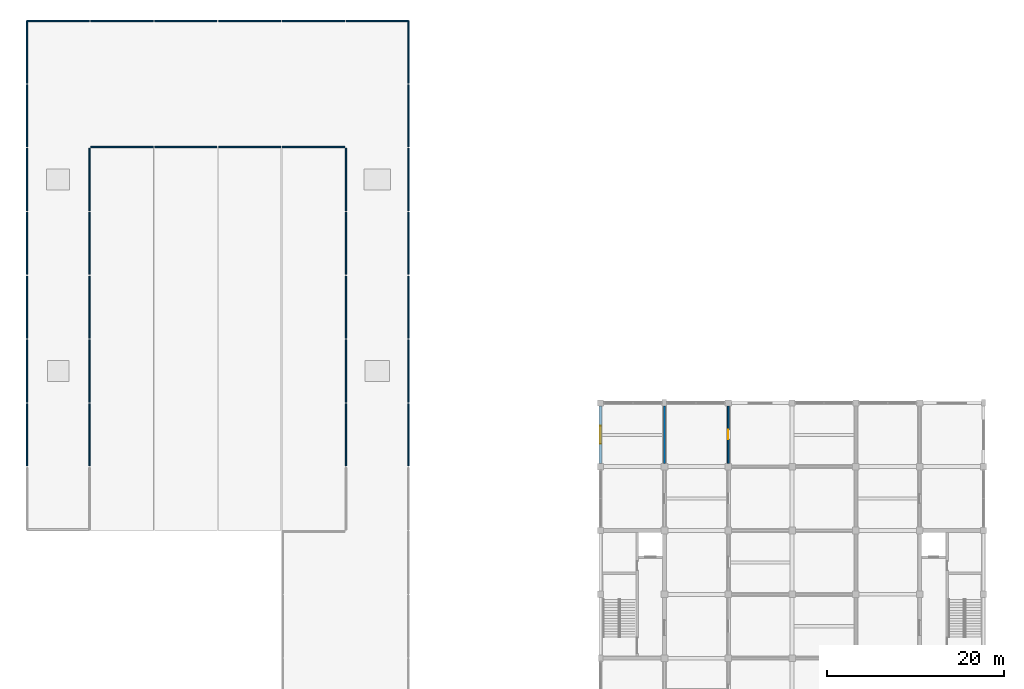
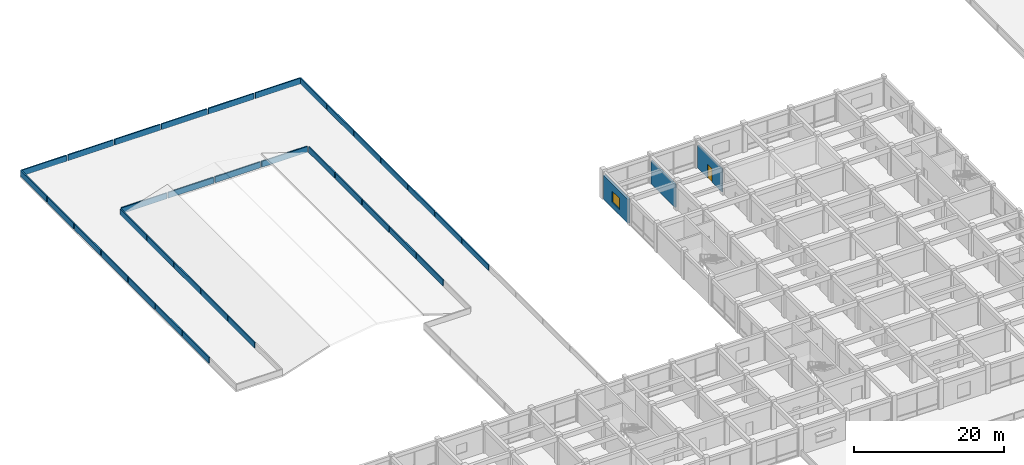
# One storey, part 23 of 30: 37 walls, 1 door, 1 window, 2 openings.
"""IFC4 building model written with IfcOpenShell, lengths in metres."""

from ifc_helpers import new_model, si_unit, direction, frame, frame_2d, origin, place, context, subcontext, project, spatial, rectangle, extrude, material, layer, layer_set, type_object, element, fill, save


model = new_model("IFC4")

# Units and contexts
model_context = context("Model", 3, precision=1e-05, world=origin(), true_north=direction((0.0, 1.0)))
body_context = subcontext(model_context, "Body", "Model", "MODEL_VIEW")
ifc_project = project(units=[si_unit("LENGTHUNIT", "METRE"), si_unit("AREAUNIT", "SQUARE_METRE"), si_unit("VOLUMEUNIT", "CUBIC_METRE"), si_unit("PLANEANGLEUNIT", "RADIAN"), si_unit("MASSUNIT", "GRAM", prefix="KILO")], contexts=[model_context])

# Site, building, storey
site_placement = place(None, origin())
site = spatial("IfcSite", under=ifc_project, at=site_placement, CompositionType="ELEMENT")
building_placement = place(site_placement, origin())
building = spatial("IfcBuilding", under=site, at=building_placement, Name="Cendaluz Park School", CompositionType="ELEMENT")
storey_placement = place(building_placement, frame((0.0, 0.0, 9.60009765625)))
storey = spatial("IfcBuildingStorey", under=building, at=storey_placement, Name="L02", CompositionType="ELEMENT", Elevation=9.60009765625)

# Wall, opening, door
ifc_material_1 = material(Name="Gypsum Plasterboard on Cold-Formed Stud", Category="gypsum")
ifc_layer_1 = layer(ifc_material_1, 0.199951171875)
ifc_layer_set_1 = layer_set([ifc_layer_1], Name="Gypsum Plasterboard on Cold-Formed Stud")
wall_type_1 = type_object("IfcWallType", Name="W-AC20", PredefinedType="PARTITIONING", material=ifc_layer_set_1)
wall_1_placement = place(storey_placement, frame((79.199951171875, 65.175048828125, 0.0), z_axis=(0.0, 0.0, 1.0), x_axis=(0.0, 1.0, 0.0)))
wall_1 = element("IfcWall", 1, at=wall_1_placement, inside=storey, type_object=wall_type_1, Name="WL-FC-BY1", PredefinedType="PARTITIONING", context=body_context, shape_type="SweptSolid", body=[
    extrude(rectangle(XDim=6.474853515625, YDim=0.199951171875, at=frame_2d((3.2373046875, 0.0))), origin(), (0.0, 0.0, 1.0), 3.739990234375),
])
opening_1_placement = place(wall_1_placement, frame((2.697509765625, 0.0, 0.0)))
opening_1 = element("IfcOpeningElement", 2, at=opening_1_placement, cuts=wall_1, Name="Opening DCL-05", PredefinedType="OPENING", context=body_context, shape_type="SweptSolid", body=[
    extrude(rectangle(XDim=1.080078125, YDim=2.179931640625, at=frame_2d((0.5400390625, 1.08984375))), frame((0.0, 0.112060546875, 0.0), z_axis=(0.0, -1.0, 0.0), x_axis=(1.0, 0.0, 0.0)), (0.0, 0.0, 1.0), 0.223876953125),
])
ifc_material_2 = material(Name="Solid Core Hardwood", Category="wood")
door_type = type_object("IfcDoorType", Name="DCL-05", OperationType="NOTDEFINED", PredefinedType="DOOR", material=ifc_material_2)
door_placement = place(opening_1_placement, frame((1.080078125, 0.0, 0.0), z_axis=(0.0, 0.0, 1.0), x_axis=(-1.0, 0.0, 0.0)))
door = element("IfcDoor", 3, at=door_placement, inside=storey, type_object=door_type, Name="D-L02-028", OperationType="SINGLE_SWING_RIGHT", OverallHeight=2.179931640625, OverallWidth=1.080078125, PredefinedType="DOOR", context=body_context, shape_type="SweptSolid", body=[
    extrude(rectangle(XDim=1.080078125, YDim=2.179931640625, at=frame_2d((0.5400390625, 1.08984375))), frame((0.0, 0.02490234375, 0.0), z_axis=(0.0, -1.0, 0.0), x_axis=(1.0, 0.0, 0.0)), (0.0, 0.0, 1.0), 0.050048828125),
])
fill(opening_1, door)

# Wall
wall_2_placement = place(storey_placement, frame((72.0, 65.175048828125, 0.0), z_axis=(0.0, 0.0, 1.0), x_axis=(0.0, 1.0, 0.0)))
element("IfcWall", 4, at=wall_2_placement, inside=storey, type_object=wall_type_1, Name="WL-FC-CC6", PredefinedType="PARTITIONING", context=body_context, shape_type="SweptSolid", body=[
    extrude(rectangle(XDim=6.449951171875, YDim=0.199951171875, at=frame_2d((3.22509765625, 0.0))), origin(), (0.0, 0.0, 1.0), 3.739990234375),
])

# Wall, opening, window
ifc_material_3 = material(Name="Concrete C40/50 precast", Category="concrete")
ifc_layer_2 = layer(ifc_material_3, 0.360107421875)
ifc_layer_set_2 = layer_set([ifc_layer_2], Name="Concrete C40/50 precast")
wall_type_2 = type_object("IfcWallType", Name="W-EX36", PredefinedType="SOLIDWALL", material=ifc_layer_set_2)
wall_3_placement = place(storey_placement, frame((64.800048828125, 65.14990234375, 0.0), z_axis=(0.0, 0.0, 1.0), x_axis=(0.0, 1.0, 0.0)))
wall_3 = element("IfcWall", 5, at=wall_3_placement, inside=storey, type_object=wall_type_2, Name="WL-FC-AA6", PredefinedType="SOLIDWALL", context=body_context, shape_type="SweptSolid", body=[
    extrude(rectangle(XDim=6.5, YDim=0.360107421875, at=frame_2d((3.25, 0.0))), origin(), (0.0, 0.0, 1.0), 3.8798828125),
])
opening_2_placement = place(wall_3_placement, frame((2.25, 0.0, 0.89990234375)))
opening_2 = element("IfcOpeningElement", 6, at=opening_2_placement, cuts=wall_3, Name="Opening WN-02", PredefinedType="OPENING", context=body_context, shape_type="SweptSolid", body=[
    extrude(rectangle(XDim=2.0, YDim=1.800048828125, at=frame_2d((1.0, 0.89990234375))), frame((0.0, 0.192138671875, 0.0), z_axis=(0.0, -1.0, 0.0), x_axis=(1.0, 0.0, 0.0)), (0.0, 0.0, 1.0), 0.384033203125),
])
ifc_material_4 = material(Name="Tempered Low-E Double Glazing", Category="glass")
window_type = type_object("IfcWindowType", Name="WN-02", PartitioningType="SINGLE_PANEL", PredefinedType="WINDOW", material=ifc_material_4)
window_placement = place(opening_2_placement, origin())
window = element("IfcWindow", 7, at=window_placement, inside=storey, type_object=window_type, Name="WN-L02-007", OverallHeight=1.800048828125, OverallWidth=2.0, PartitioningType="SINGLE_PANEL", PredefinedType="WINDOW", context=body_context, shape_type="SweptSolid", body=[
    extrude(rectangle(XDim=2.0, YDim=1.800048828125, at=frame_2d((1.0, 0.89990234375))), frame((0.0, 0.030029296875, 0.0), z_axis=(0.0, -1.0, 0.0), x_axis=(1.0, 0.0, 0.0)), (0.0, 0.0, 1.0), 0.06005859375),
])
fill(opening_2, window)

# Walls
ifc_layer_3 = layer(ifc_material_3, 0.179931640625)
ifc_layer_set_3 = layer_set([ifc_layer_3], Name="Concrete C40/50 precast")
wall_type_3 = type_object("IfcWallType", Name="W-PR18", PredefinedType="PARAPET", material=ifc_layer_set_3)
for number, where, z_axis, x_axis, name in (
    (8, (0.090087890625, 64.889892578125, 0.0), (0.0, 0.0, 1.0), (0.0, 1.0, 0.0), "WL-FC-AC4"),
    (9, (7.110107421875, 64.889892578125, 0.0), (0.0, 0.0, 1.0), (0.0, 1.0, 0.0), "WL-FC-AC5"),
    (10, (0.090087890625, 72.090087890625, 0.0), (0.0, 0.0, 1.0), (0.0, 1.0, 0.0), "WL-FC-AC6"),
    (11, (7.110107421875, 72.090087890625, 0.0), (0.0, 0.0, 1.0), (0.0, 1.0, 0.0), "WL-FC-AC7"),
    (12, (0.090087890625, 79.2900390625, 0.0), (0.0, 0.0, 1.0), (0.0, 1.0, 0.0), "WL-FC-AC8"),
    (13, (7.110107421875, 79.2900390625, 0.0), (0.0, 0.0, 1.0), (0.0, 1.0, 0.0), "WL-FC-AC9"),
    (14, (0.090087890625, 86.489990234375, 0.0), (0.0, 0.0, 1.0), (0.0, 1.0, 0.0), "WL-FC-AD0"),
    (15, (7.110107421875, 86.489990234375, 0.0), (0.0, 0.0, 1.0), (0.0, 1.0, 0.0), "WL-FC-AD1"),
    (16, (0.090087890625, 93.68994140625, 0.0), (0.0, 0.0, 1.0), (0.0, 1.0, 0.0), "WL-FC-AD2"),
    (17, (7.110107421875, 93.68994140625, 0.0), (0.0, 0.0, 1.0), (0.0, 1.0, 0.0), "WL-FC-AD3"),
    (18, (0.090087890625, 100.889892578125, 0.0), (0.0, 0.0, 1.0), (0.0, 1.0, 0.0), "WL-FC-AD4"),
    (19, (0.090087890625, 115.110107421875, 0.0), (0.0, 0.0, 1.0), (1.0, 0.0, 0.0), "WL-FC-AD5"),
    (20, (0.090087890625, 108.090087890625, 0.0), (0.0, 0.0, 1.0), (0.0, 1.0, 0.0), "WL-FC-AD6"),
    (21, (7.2900390625, 100.889892578125, 0.0), (0.0, 0.0, 1.0), (1.0, 0.0, 0.0), "WL-FC-AD8"),
    (22, (7.2900390625, 115.110107421875, 0.0), (0.0, 0.0, 1.0), (1.0, 0.0, 0.0), "WL-FC-AD9"),
    (23, (14.489990234375, 100.889892578125, 0.0), (0.0, 0.0, 1.0), (1.0, 0.0, 0.0), "WL-FC-AE1"),
    (24, (14.489990234375, 115.110107421875, 0.0), (0.0, 0.0, 1.0), (1.0, 0.0, 0.0), "WL-FC-AE2"),
    (25, (21.68994140625, 100.889892578125, 0.0), (0.0, 0.0, 1.0), (1.0, 0.0, 0.0), "WL-FC-AE4"),
    (26, (21.68994140625, 115.110107421875, 0.0), (0.0, 0.0, 1.0), (1.0, 0.0, 0.0), "WL-FC-AE5"),
    (27, (28.889892578125, 100.889892578125, 0.0), (0.0, 0.0, 1.0), (1.0, 0.0, 0.0), "WL-FC-AF2"),
    (28, (28.889892578125, 115.110107421875, 0.0), (0.0, 0.0, 1.0), (1.0, 0.0, 0.0), "WL-FC-AF3"),
    (29, (36.090087890625, 64.889892578125, 0.0), (0.0, 0.0, 1.0), (0.0, 1.0, 0.0), "WL-FC-AG2"),
    (30, (43.110107421875, 64.889892578125, 0.0), (0.0, 0.0, 1.0), (0.0, 1.0, 0.0), "WL-FC-AG3"),
    (31, (36.090087890625, 72.090087890625, 0.0), (0.0, 0.0, 1.0), (0.0, 1.0, 0.0), "WL-FC-AG4"),
    (32, (43.110107421875, 72.090087890625, 0.0), (0.0, 0.0, 1.0), (0.0, 1.0, 0.0), "WL-FC-AG5"),
    (33, (36.090087890625, 79.2900390625, 0.0), (0.0, 0.0, 1.0), (0.0, 1.0, 0.0), "WL-FC-AG6"),
    (34, (43.110107421875, 79.2900390625, 0.0), (0.0, 0.0, 1.0), (0.0, 1.0, 0.0), "WL-FC-AG7"),
    (35, (36.090087890625, 86.489990234375, 0.0), (0.0, 0.0, 1.0), (0.0, 1.0, 0.0), "WL-FC-AG8"),
    (36, (43.110107421875, 86.489990234375, 0.0), (0.0, 0.0, 1.0), (0.0, 1.0, 0.0), "WL-FC-AG9"),
    (37, (36.090087890625, 93.68994140625, 0.0), (0.0, 0.0, 1.0), (0.0, 1.0, 0.0), "WL-FC-AH0"),
    (38, (43.110107421875, 93.68994140625, 0.0), (0.0, 0.0, 1.0), (0.0, 1.0, 0.0), "WL-FC-AH1"),
    (39, (43.110107421875, 100.889892578125, 0.0), (0.0, 0.0, 1.0), (0.0, 1.0, 0.0), "WL-FC-AH2"),
    (40, (36.090087890625, 115.110107421875, 0.0), (0.0, 0.0, 1.0), (1.0, 0.0, 0.0), "WL-FC-AH3"),
    (41, (43.110107421875, 108.090087890625, 0.0), (0.0, 0.0, 1.0), (0.0, 1.0, 0.0), "WL-FC-AH4"),
):
    element("IfcWall", number, at=place(storey_placement, frame(where, z_axis=z_axis, x_axis=x_axis)), inside=storey, type_object=wall_type_3, Name=name, PredefinedType="PARAPET", context=body_context, shape_type="SweptSolid", body=[
        extrude(rectangle(XDim=7.02001953125, YDim=0.179931640625, at=frame_2d((3.510009765625, 0.0))), origin(), (0.0, 0.0, 1.0), 0.949951171875),
    ])

save(model, "model.ifc")
